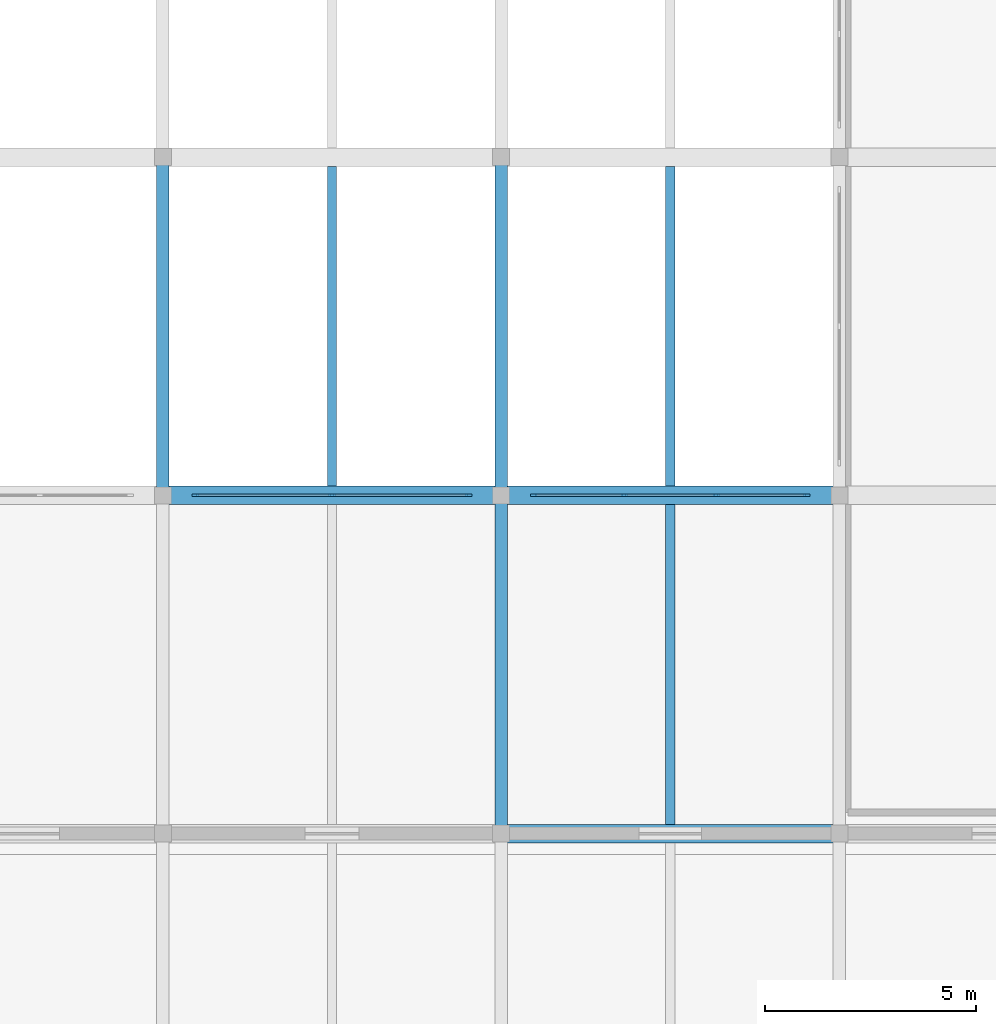
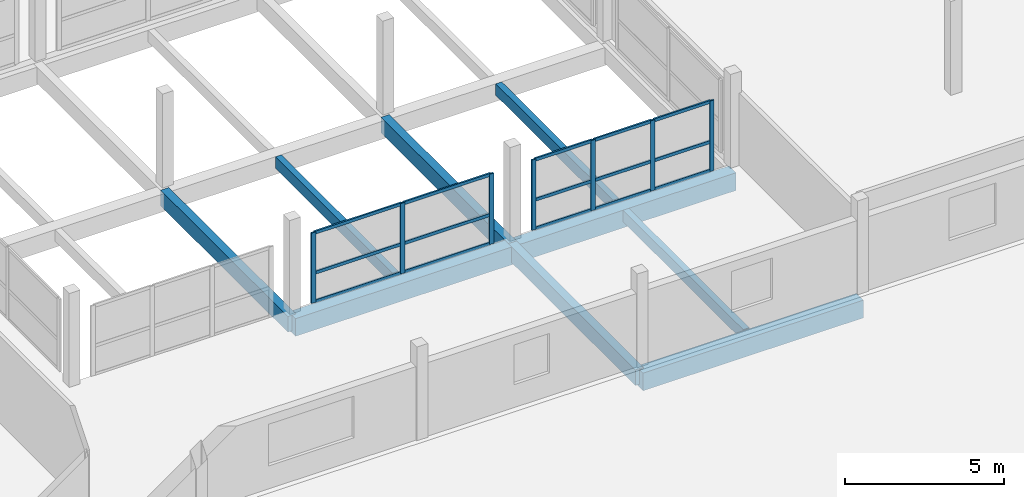
# One storey, part 10 of 51: 22 members, 9 beams, 2 elements without a shape of their own.
"""IFC4 building model written with IfcOpenShell, lengths in metres."""

from ifc_helpers import new_model, si_unit, direction, frame, origin, origin_2d, place, context, subcontext, project, spatial, rectangle, extrude, material, material_profile, profile_set, type_object, element, aggregate, save


model = new_model("IFC4")

# Units and contexts
model_context = context("Model", 3, precision=1e-05, world=origin(), true_north=direction((0.0, 1.0)))
body_context = subcontext(model_context, "Body", "Model", "MODEL_VIEW")
ifc_project = project(units=[si_unit("LENGTHUNIT", "METRE"), si_unit("AREAUNIT", "SQUARE_METRE"), si_unit("VOLUMEUNIT", "CUBIC_METRE"), si_unit("PLANEANGLEUNIT", "RADIAN"), si_unit("MASSUNIT", "GRAM", prefix="KILO")], contexts=[model_context])

# Site, building, storey
site_placement = place(None, origin())
site = spatial("IfcSite", under=ifc_project, at=site_placement, CompositionType="ELEMENT")
building_placement = place(site_placement, origin())
building = spatial("IfcBuilding", under=site, at=building_placement, Name="Vharandega Faculty of Natural Sciences", CompositionType="ELEMENT")
storey_placement = place(building_placement, frame((0.0, 0.0, 18.0)))
storey = spatial("IfcBuildingStorey", under=building, at=storey_placement, Name="L04", CompositionType="ELEMENT", Elevation=18.0)

# Curtain wall, members
ifc_material_1 = material(Name="Aluminium and solar-control glass curtain wall", Category="aluminium")
curtain_wall_type_1 = type_object("IfcCurtainWallType", Name="Unitised Curtain Wall System CW-18", PredefinedType="NOTDEFINED", material=ifc_material_1)
curtain_wall_1_placement = place(storey_placement, origin())
curtain_wall_1 = element("IfcCurtainWall", 1, at=curtain_wall_1_placement, inside=storey, type_object=curtain_wall_type_1, Name="Curtain Wall CW-L04-185", PredefinedType="NOTDEFINED")
ifc_material_2 = material(Name="Thermally broken aluminium 6063-T6", Category="aluminium")
ifc_material_profile_1 = material_profile(ifc_material_2, rectangle(XDim=0.06005859375, YDim=0.159912109375, at=origin_2d()), Name="ALU 60x160")
ifc_profile_set_1 = profile_set([ifc_material_profile_1], Name="Thermally broken aluminium 6063-T6")
member_type_1 = type_object("IfcMemberType", Name="CW Mullion 60x160", PredefinedType="MULLION", material=ifc_profile_set_1)
member_1_placement = place(storey_placement, frame((16.77001953125, 24.0, 0.0), z_axis=(0.0, 0.0, 1.0), x_axis=(0.0, 1.0, 0.0)))
member_1 = element("IfcMember", 2, at=member_1_placement, type_object=member_type_1, Name="CW-18 mullion 1", PredefinedType="MULLION", context=body_context, shape_type="SweptSolid", body=[
    extrude(rectangle(XDim=0.06005859375, YDim=0.159912109375, at=origin_2d()), origin(), (0.0, 0.0, 1.0), 2.699951171875),
])
member_2_placement = place(storey_placement, frame((20.0, 24.0, 0.0), z_axis=(0.0, 0.0, 1.0), x_axis=(0.0, 1.0, 0.0)))
member_2 = element("IfcMember", 3, at=member_2_placement, type_object=member_type_1, Name="CW-18 mullion 2", PredefinedType="MULLION", context=body_context, shape_type="SweptSolid", body=[
    extrude(rectangle(XDim=0.06005859375, YDim=0.159912109375, at=origin_2d()), origin(), (0.0, 0.0, 1.0), 2.699951171875),
])
member_3_placement = place(storey_placement, frame((23.22998046875, 24.0, 0.0), z_axis=(0.0, 0.0, 1.0), x_axis=(0.0, 1.0, 0.0)))
member_3 = element("IfcMember", 4, at=member_3_placement, type_object=member_type_1, Name="CW-18 mullion 3", PredefinedType="MULLION", context=body_context, shape_type="SweptSolid", body=[
    extrude(rectangle(XDim=0.06005859375, YDim=0.159912109375, at=origin_2d()), origin(), (0.0, 0.0, 1.0), 2.699951171875),
])

ifc_material_3 = material(Name="Aluminium and solar-control glass curtain wall", Category="aluminium")
curtain_wall_type_2 = type_object("IfcCurtainWallType", Name="Unitised Curtain Wall System CW-20", PredefinedType="NOTDEFINED", material=ifc_material_3)
curtain_wall_2_placement = place(storey_placement, origin())
curtain_wall_2 = element("IfcCurtainWall", 5, at=curtain_wall_2_placement, inside=storey, type_object=curtain_wall_type_2, Name="Curtain Wall CW-L04-187", PredefinedType="NOTDEFINED")
member_4_placement = place(storey_placement, frame((24.77001953125, 24.0, 0.0), z_axis=(0.0, 0.0, 1.0), x_axis=(0.0, 1.0, 0.0)))
member_4 = element("IfcMember", 6, at=member_4_placement, type_object=member_type_1, Name="CW-20 mullion 1", PredefinedType="MULLION", context=body_context, shape_type="SweptSolid", body=[
    extrude(rectangle(XDim=0.06005859375, YDim=0.159912109375, at=origin_2d()), origin(), (0.0, 0.0, 1.0), 2.699951171875),
])
member_5_placement = place(storey_placement, frame((26.913330078125, 24.0, 0.0), z_axis=(0.0, 0.0, 1.0), x_axis=(0.0, 1.0, 0.0)))
member_5 = element("IfcMember", 7, at=member_5_placement, type_object=member_type_1, Name="CW-20 mullion 2", PredefinedType="MULLION", context=body_context, shape_type="SweptSolid", body=[
    extrude(rectangle(XDim=0.06005859375, YDim=0.159912109375, at=origin_2d()), origin(), (0.0, 0.0, 1.0), 2.699951171875),
])
member_6_placement = place(storey_placement, frame((29.086669921875, 24.0, 0.0), z_axis=(0.0, 0.0, 1.0), x_axis=(0.0, 1.0, 0.0)))
member_6 = element("IfcMember", 8, at=member_6_placement, type_object=member_type_1, Name="CW-20 mullion 3", PredefinedType="MULLION", context=body_context, shape_type="SweptSolid", body=[
    extrude(rectangle(XDim=0.06005859375, YDim=0.159912109375, at=origin_2d()), origin(), (0.0, 0.0, 1.0), 2.699951171875),
])
member_7_placement = place(storey_placement, frame((31.22998046875, 24.0, 0.0), z_axis=(0.0, 0.0, 1.0), x_axis=(0.0, 1.0, 0.0)))
member_7 = element("IfcMember", 9, at=member_7_placement, type_object=member_type_1, Name="CW-20 mullion 4", PredefinedType="MULLION", context=body_context, shape_type="SweptSolid", body=[
    extrude(rectangle(XDim=0.06005859375, YDim=0.159912109375, at=origin_2d()), origin(), (0.0, 0.0, 1.0), 2.699951171875),
])

# Member
ifc_material_4 = material(Name="Thermally broken aluminium 6063-T6", Category="aluminium")
ifc_material_profile_2 = material_profile(ifc_material_4, rectangle(XDim=0.06005859375, YDim=0.1201171875, at=origin_2d()), Name="ALU 60x120")
ifc_profile_set_2 = profile_set([ifc_material_profile_2], Name="Thermally broken aluminium 6063-T6")
member_type_2 = type_object("IfcMemberType", Name="CW Transom 60x120", PredefinedType="USERDEFINED", material=ifc_profile_set_2)
member_8_placement = place(storey_placement, frame((16.800048828125, 24.0, 0.030029296875), z_axis=(1.0, 0.0, 0.0), x_axis=(0.0, 1.0, 0.0)))
member_8 = element("IfcMember", 10, at=member_8_placement, type_object=member_type_2, Name="CW-18 transom 1.1", ObjectType="TRANSOM", PredefinedType="USERDEFINED", context=body_context, shape_type="SweptSolid", body=[
    extrude(rectangle(XDim=0.06005859375, YDim=0.1201171875, at=origin_2d()), origin(), (0.0, 0.0, 1.0), 3.169921875),
])

member_9_placement = place(storey_placement, frame((16.800048828125, 24.0, 1.134033203125), z_axis=(1.0, 0.0, 0.0), x_axis=(0.0, 1.0, 0.0)))
member_9 = element("IfcMember", 11, at=member_9_placement, type_object=member_type_2, Name="CW-18 transom 1.2", ObjectType="TRANSOM", PredefinedType="USERDEFINED", context=body_context, shape_type="SweptSolid", body=[
    extrude(rectangle(XDim=0.06005859375, YDim=0.1201171875, at=origin_2d()), origin(), (0.0, 0.0, 1.0), 3.169921875),
])

member_10_placement = place(storey_placement, frame((16.800048828125, 24.0, 2.669921875), z_axis=(1.0, 0.0, 0.0), x_axis=(0.0, 1.0, 0.0)))
member_10 = element("IfcMember", 12, at=member_10_placement, type_object=member_type_2, Name="CW-18 transom 1.3", ObjectType="TRANSOM", PredefinedType="USERDEFINED", context=body_context, shape_type="SweptSolid", body=[
    extrude(rectangle(XDim=0.06005859375, YDim=0.1201171875, at=origin_2d()), origin(), (0.0, 0.0, 1.0), 3.169921875),
])

member_11_placement = place(storey_placement, frame((20.030029296875, 24.0, 0.030029296875), z_axis=(1.0, 0.0, 0.0), x_axis=(0.0, 1.0, 0.0)))
member_11 = element("IfcMember", 13, at=member_11_placement, type_object=member_type_2, Name="CW-18 transom 2.1", ObjectType="TRANSOM", PredefinedType="USERDEFINED", context=body_context, shape_type="SweptSolid", body=[
    extrude(rectangle(XDim=0.06005859375, YDim=0.1201171875, at=origin_2d()), origin(), (0.0, 0.0, 1.0), 3.169921875),
])

member_12_placement = place(storey_placement, frame((20.030029296875, 24.0, 1.134033203125), z_axis=(1.0, 0.0, 0.0), x_axis=(0.0, 1.0, 0.0)))
member_12 = element("IfcMember", 14, at=member_12_placement, type_object=member_type_2, Name="CW-18 transom 2.2", ObjectType="TRANSOM", PredefinedType="USERDEFINED", context=body_context, shape_type="SweptSolid", body=[
    extrude(rectangle(XDim=0.06005859375, YDim=0.1201171875, at=origin_2d()), origin(), (0.0, 0.0, 1.0), 3.169921875),
])

member_13_placement = place(storey_placement, frame((20.030029296875, 24.0, 2.669921875), z_axis=(1.0, 0.0, 0.0), x_axis=(0.0, 1.0, 0.0)))
member_13 = element("IfcMember", 15, at=member_13_placement, type_object=member_type_2, Name="CW-18 transom 2.3", ObjectType="TRANSOM", PredefinedType="USERDEFINED", context=body_context, shape_type="SweptSolid", body=[
    extrude(rectangle(XDim=0.06005859375, YDim=0.1201171875, at=origin_2d()), origin(), (0.0, 0.0, 1.0), 3.169921875),
])

aggregate(curtain_wall_1, [member_1, member_2, member_3, member_8, member_9, member_10, member_11, member_12, member_13])

member_14_placement = place(storey_placement, frame((24.800048828125, 24.0, 0.030029296875), z_axis=(1.0, 0.0, 0.0), x_axis=(0.0, 1.0, 0.0)))
member_14 = element("IfcMember", 16, at=member_14_placement, type_object=member_type_2, Name="CW-20 transom 1.1", ObjectType="TRANSOM", PredefinedType="USERDEFINED", context=body_context, shape_type="SweptSolid", body=[
    extrude(rectangle(XDim=0.06005859375, YDim=0.1201171875, at=origin_2d()), origin(), (0.0, 0.0, 1.0), 2.083251953125),
])

member_15_placement = place(storey_placement, frame((24.800048828125, 24.0, 1.134033203125), z_axis=(1.0, 0.0, 0.0), x_axis=(0.0, 1.0, 0.0)))
member_15 = element("IfcMember", 17, at=member_15_placement, type_object=member_type_2, Name="CW-20 transom 1.2", ObjectType="TRANSOM", PredefinedType="USERDEFINED", context=body_context, shape_type="SweptSolid", body=[
    extrude(rectangle(XDim=0.06005859375, YDim=0.1201171875, at=origin_2d()), origin(), (0.0, 0.0, 1.0), 2.083251953125),
])

member_16_placement = place(storey_placement, frame((24.800048828125, 24.0, 2.669921875), z_axis=(1.0, 0.0, 0.0), x_axis=(0.0, 1.0, 0.0)))
member_16 = element("IfcMember", 18, at=member_16_placement, type_object=member_type_2, Name="CW-20 transom 1.3", ObjectType="TRANSOM", PredefinedType="USERDEFINED", context=body_context, shape_type="SweptSolid", body=[
    extrude(rectangle(XDim=0.06005859375, YDim=0.1201171875, at=origin_2d()), origin(), (0.0, 0.0, 1.0), 2.083251953125),
])

member_17_placement = place(storey_placement, frame((26.943359375, 24.0, 0.030029296875), z_axis=(1.0, 0.0, 0.0), x_axis=(0.0, 1.0, 0.0)))
member_17 = element("IfcMember", 19, at=member_17_placement, type_object=member_type_2, Name="CW-20 transom 2.1", ObjectType="TRANSOM", PredefinedType="USERDEFINED", context=body_context, shape_type="SweptSolid", body=[
    extrude(rectangle(XDim=0.06005859375, YDim=0.1201171875, at=origin_2d()), origin(), (0.0, 0.0, 1.0), 2.11328125),
])

member_18_placement = place(storey_placement, frame((26.943359375, 24.0, 1.134033203125), z_axis=(1.0, 0.0, 0.0), x_axis=(0.0, 1.0, 0.0)))
member_18 = element("IfcMember", 20, at=member_18_placement, type_object=member_type_2, Name="CW-20 transom 2.2", ObjectType="TRANSOM", PredefinedType="USERDEFINED", context=body_context, shape_type="SweptSolid", body=[
    extrude(rectangle(XDim=0.06005859375, YDim=0.1201171875, at=origin_2d()), origin(), (0.0, 0.0, 1.0), 2.11328125),
])

member_19_placement = place(storey_placement, frame((26.943359375, 24.0, 2.669921875), z_axis=(1.0, 0.0, 0.0), x_axis=(0.0, 1.0, 0.0)))
member_19 = element("IfcMember", 21, at=member_19_placement, type_object=member_type_2, Name="CW-20 transom 2.3", ObjectType="TRANSOM", PredefinedType="USERDEFINED", context=body_context, shape_type="SweptSolid", body=[
    extrude(rectangle(XDim=0.06005859375, YDim=0.1201171875, at=origin_2d()), origin(), (0.0, 0.0, 1.0), 2.11328125),
])

member_20_placement = place(storey_placement, frame((29.11669921875, 24.0, 0.030029296875), z_axis=(1.0, 0.0, 0.0), x_axis=(0.0, 1.0, 0.0)))
member_20 = element("IfcMember", 22, at=member_20_placement, type_object=member_type_2, Name="CW-20 transom 3.1", ObjectType="TRANSOM", PredefinedType="USERDEFINED", context=body_context, shape_type="SweptSolid", body=[
    extrude(rectangle(XDim=0.06005859375, YDim=0.1201171875, at=origin_2d()), origin(), (0.0, 0.0, 1.0), 2.083251953125),
])

member_21_placement = place(storey_placement, frame((29.11669921875, 24.0, 1.134033203125), z_axis=(1.0, 0.0, 0.0), x_axis=(0.0, 1.0, 0.0)))
member_21 = element("IfcMember", 23, at=member_21_placement, type_object=member_type_2, Name="CW-20 transom 3.2", ObjectType="TRANSOM", PredefinedType="USERDEFINED", context=body_context, shape_type="SweptSolid", body=[
    extrude(rectangle(XDim=0.06005859375, YDim=0.1201171875, at=origin_2d()), origin(), (0.0, 0.0, 1.0), 2.083251953125),
])

member_22_placement = place(storey_placement, frame((29.11669921875, 24.0, 2.669921875), z_axis=(1.0, 0.0, 0.0), x_axis=(0.0, 1.0, 0.0)))
member_22 = element("IfcMember", 24, at=member_22_placement, type_object=member_type_2, Name="CW-20 transom 3.3", ObjectType="TRANSOM", PredefinedType="USERDEFINED", context=body_context, shape_type="SweptSolid", body=[
    extrude(rectangle(XDim=0.06005859375, YDim=0.1201171875, at=origin_2d()), origin(), (0.0, 0.0, 1.0), 2.083251953125),
])

aggregate(curtain_wall_2, [member_4, member_5, member_6, member_7, member_14, member_15, member_16, member_17, member_18, member_19, member_20, member_21, member_22])

# Beams
ifc_material_5 = material(Name="Glulam GL28h", Category="wood")
ifc_material_profile_3 = material_profile(ifc_material_5, rectangle(XDim=0.300048828125, YDim=0.60009765625, at=origin_2d()), Name="GL28h 300x600")
ifc_profile_set_3 = profile_set([ifc_material_profile_3], Name="Glulam GL28h")
beam_type_1 = type_object("IfcBeamType", Name="Glulam Floor Beam 300x600", PredefinedType="BEAM", material=ifc_profile_set_3)
for number, where, z_axis, x_axis, name in (
    (25, (16.0, 24.0, -0.52001953125), (0.0, 1.0, 0.0), (-1.0, 0.0, 0.0), "Beam L04 3/D-E"),
    (26, (24.0, 16.0, -0.52001953125), (0.0, 1.0, 0.0), (-1.0, 0.0, 0.0), "Beam L04 4/C-D"),
    (27, (24.0, 24.0, -0.52001953125), (0.0, 1.0, 0.0), (-1.0, 0.0, 0.0), "Beam L04 4/D-E"),
):
    element("IfcBeam", number, at=place(storey_placement, frame(where, z_axis=z_axis, x_axis=x_axis)), inside=storey, type_object=beam_type_1, Name=name, PredefinedType="BEAM", context=body_context, shape_type="SweptSolid", body=[
        extrude(rectangle(XDim=0.300048828125, YDim=0.60009765625, at=origin_2d()), origin(), (0.0, 0.0, 1.0), 8.0),
    ])
ifc_material_6 = material(Name="Glulam GL32h", Category="wood")
ifc_material_profile_4 = material_profile(ifc_material_6, rectangle(XDim=0.43994140625, YDim=0.679931640625, at=origin_2d()), Name="GL32h 440x680")
ifc_profile_set_4 = profile_set([ifc_material_profile_4], Name="Glulam GL32h")
beam_type_2 = type_object("IfcBeamType", Name="Glulam Girder 440x680", PredefinedType="BEAM", material=ifc_profile_set_4)
for number, where, z_axis, x_axis, name in (
    (28, (24.0, 16.0, -0.60009765625), (1.0, 0.0, 0.0), (0.0, 1.0, 0.0), "Beam L04 C/4-5"),
    (29, (16.0, 24.0, -0.56005859375), (1.0, 0.0, 0.0), (0.0, 1.0, 0.0), "Beam L04 D/3-4"),
    (30, (24.0, 24.0, -0.56005859375), (1.0, 0.0, 0.0), (0.0, 1.0, 0.0), "Beam L04 D/4-5"),
):
    element("IfcBeam", number, at=place(storey_placement, frame(where, z_axis=z_axis, x_axis=x_axis)), inside=storey, type_object=beam_type_2, Name=name, PredefinedType="BEAM", context=body_context, shape_type="SweptSolid", body=[
        extrude(rectangle(XDim=0.43994140625, YDim=0.679931640625, at=origin_2d()), origin(), (0.0, 0.0, 1.0), 8.0),
    ])
ifc_material_7 = material(Name="Glulam GL28h", Category="wood")
ifc_material_profile_5 = material_profile(ifc_material_7, rectangle(XDim=0.219970703125, YDim=0.43994140625, at=origin_2d()), Name="GL28h 220x440")
ifc_profile_set_5 = profile_set([ifc_material_profile_5], Name="Glulam GL28h")
beam_type_3 = type_object("IfcBeamType", Name="Glulam Secondary Joist 220x440", PredefinedType="JOIST", material=ifc_profile_set_5)
for number, where, z_axis, x_axis, name in (
    (31, (20.0, 24.219970703125, -0.43994140625), (0.0, 1.0, 0.0), (-1.0, 0.0, 0.0), "Secondary Joist L04 3-4/D-E"),
    (32, (28.0, 16.219970703125, -0.43994140625), (0.0, 1.0, 0.0), (-1.0, 0.0, 0.0), "Secondary Joist L04 4-5/C-D"),
    (33, (28.0, 24.219970703125, -0.43994140625), (0.0, 1.0, 0.0), (-1.0, 0.0, 0.0), "Secondary Joist L04 4-5/D-E"),
):
    element("IfcBeam", number, at=place(storey_placement, frame(where, z_axis=z_axis, x_axis=x_axis)), inside=storey, type_object=beam_type_3, Name=name, PredefinedType="JOIST", context=body_context, shape_type="SweptSolid", body=[
        extrude(rectangle(XDim=0.219970703125, YDim=0.43994140625, at=origin_2d()), origin(), (0.0, 0.0, 1.0), 7.56005859375),
    ])

save(model, "model.ifc")
